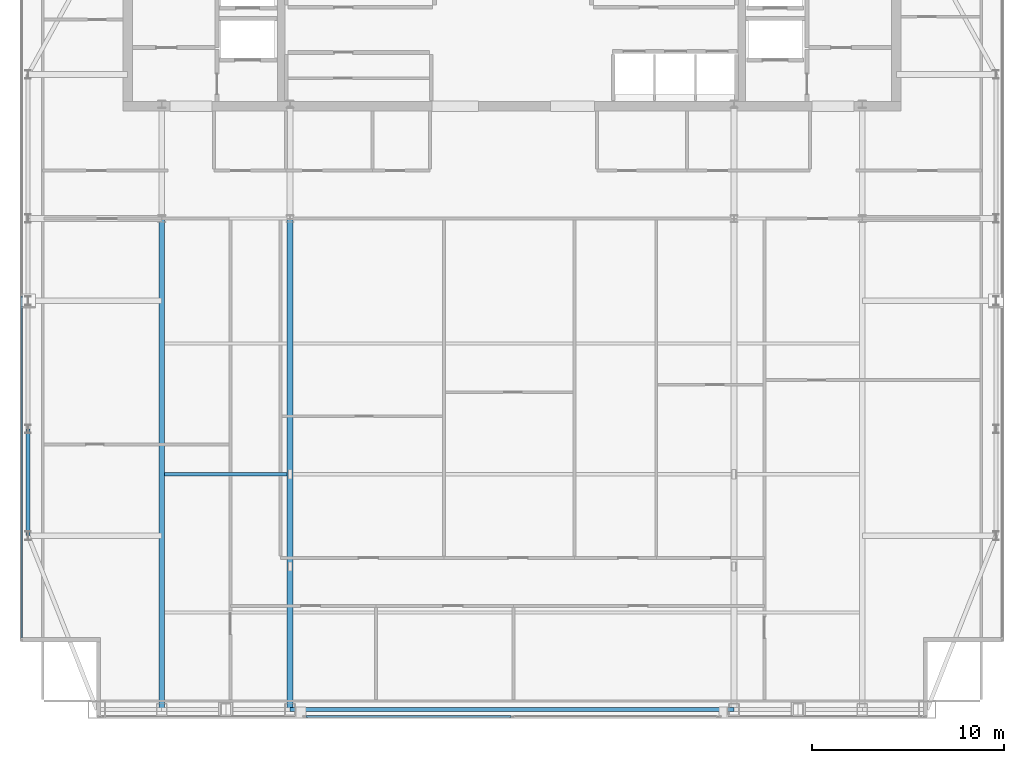
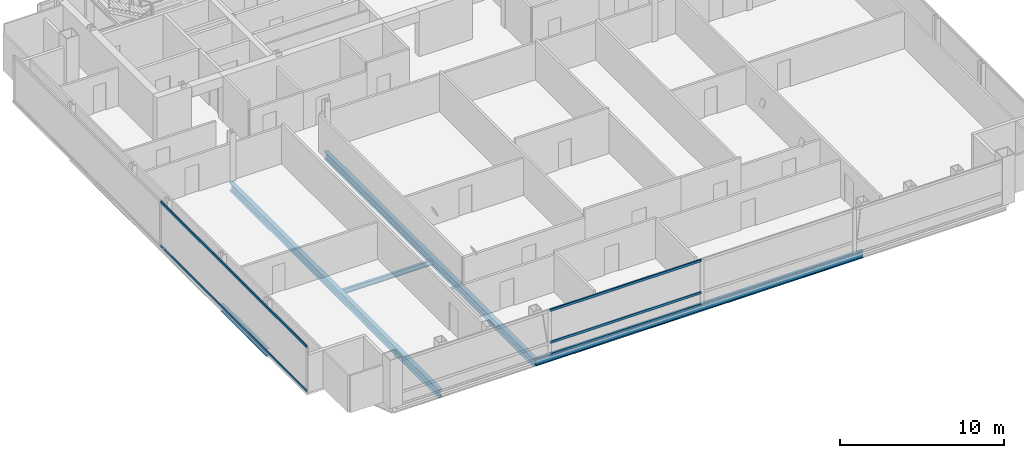
# One storey, part 5 of 24: 5 beams, 5 members, 2 elements without a shape of their own.
"""IFC4 building model written with IfcOpenShell, lengths in metres."""

from ifc_helpers import new_model, si_unit, direction, frame, origin, origin_2d, place, context, subcontext, project, spatial, hollow_rectangle, i_section, extrude, material, material_profile, profile_set, type_object, element, aggregate, save


model = new_model("IFC4")

# Units and contexts
model_context = context("Model", 3, precision=1e-05, world=origin(), true_north=direction((0.0, 1.0)))
body_context = subcontext(model_context, "Body", "Model", "MODEL_VIEW")
ifc_project = project(units=[si_unit("LENGTHUNIT", "METRE"), si_unit("AREAUNIT", "SQUARE_METRE"), si_unit("VOLUMEUNIT", "CUBIC_METRE"), si_unit("PLANEANGLEUNIT", "RADIAN"), si_unit("MASSUNIT", "GRAM", prefix="KILO")], contexts=[model_context])

# Site, building, storey
site_placement = place(None, origin())
site = spatial("IfcSite", under=ifc_project, at=site_placement, CompositionType="ELEMENT")
building_placement = place(site_placement, origin())
building = spatial("IfcBuilding", under=site, at=building_placement, Name="Khoronbel Lancet Exchange", CompositionType="ELEMENT")
storey_placement = place(building_placement, frame((0.0, 0.0, 347.0)))
storey = spatial("IfcBuildingStorey", under=building, at=storey_placement, Name="L90", CompositionType="ELEMENT", Elevation=347.0)

# Beams
ifc_material_1 = material(Name="Steel S355", Category="steel")
ifc_material_profile_1 = material_profile(ifc_material_1, i_section(OverallWidth=0.300048828125, OverallDepth=0.60009765625, WebThickness=0.015380859375, FlangeThickness=0.030029296875, at=origin_2d()), Name="HEB 600")
ifc_profile_set_1 = profile_set([ifc_material_profile_1], Name="Steel S355")
beam_type_1 = type_object("IfcBeamType", Name="BM-BG5", PredefinedType="BEAM", material=ifc_profile_set_1)
for number, where, z_axis, x_axis, name in (
    (1, (18.22509765625, 10.14990234375, -0.4599609375), (0.0, 1.0, 0.0), (-1.0, 0.0, 0.0), "Level L90 south primary girder GS1"),
    (2, (24.89990234375, 10.14990234375, -0.4599609375), (0.0, 1.0, 0.0), (-1.0, 0.0, 0.0), "Level L90 south primary girder GS2"),
):
    element("IfcBeam", number, at=place(storey_placement, frame(where, z_axis=z_axis, x_axis=x_axis)), inside=storey, type_object=beam_type_1, Name=name, PredefinedType="BEAM", context=body_context, shape_type="SweptSolid", body=[
        extrude(i_section(OverallWidth=0.300048828125, OverallDepth=0.60009765625, WebThickness=0.015380859375, FlangeThickness=0.030029296875, at=origin_2d()), origin(), (0.0, 0.0, 1.0), 25.550048828125),
    ])
ifc_material_profile_2 = material_profile(ifc_material_1, i_section(OverallWidth=0.169921875, OverallDepth=0.360107421875, WebThickness=0.008056640625, FlangeThickness=0.0126953125, at=origin_2d()), Name="IPE 360")
ifc_profile_set_2 = profile_set([ifc_material_profile_2], Name="Steel S355")
beam_type_2 = type_object("IfcBeamType", Name="BM-BJ6", PredefinedType="JOIST", material=ifc_profile_set_2)
beam_1_placement = place(storey_placement, frame((18.375, 22.39990234375, -0.340087890625), z_axis=(1.0, 0.0, 0.0), x_axis=(0.0, 1.0, 0.0)))
element("IfcBeam", 3, at=beam_1_placement, inside=storey, type_object=beam_type_2, Name="Level L90 secondary composite joist J04", PredefinedType="JOIST", context=body_context, shape_type="SweptSolid", body=[
    extrude(i_section(OverallWidth=0.169921875, OverallDepth=0.360107421875, WebThickness=0.008056640625, FlangeThickness=0.0126953125, at=origin_2d()), origin(), (0.0, 0.0, 1.0), 6.375),
])
ifc_material_profile_3 = material_profile(ifc_material_1, i_section(OverallWidth=0.2099609375, OverallDepth=0.550048828125, WebThickness=0.010986328125, FlangeThickness=0.01708984375, at=origin_2d()), Name="IPE 550")
ifc_profile_set_3 = profile_set([ifc_material_profile_3], Name="Steel S355")
beam_type_3 = type_object("IfcBeamType", Name="BM-BSP3", PredefinedType="SPANDREL", material=ifc_profile_set_3)
beam_2_placement = place(storey_placement, frame((24.89990234375, 10.14990234375, -0.43505859375), z_axis=(1.0, 0.0, 0.0), x_axis=(0.0, 1.0, 0.0)))
element("IfcBeam", 4, at=beam_2_placement, inside=storey, type_object=beam_type_3, Name="Level L90 perimeter spandrel beam SP04", PredefinedType="SPANDREL", context=body_context, shape_type="SweptSolid", body=[
    extrude(i_section(OverallWidth=0.2099609375, OverallDepth=0.550048828125, WebThickness=0.010986328125, FlangeThickness=0.01708984375, at=origin_2d()), origin(), (0.0, 0.0, 1.0), 23.10009765625),
])
beam_3_placement = place(storey_placement, frame((11.27001953125, 24.75, -0.43505859375), z_axis=(0.0, -1.0, 0.0), x_axis=(1.0, 0.0, 0.0)))
element("IfcBeam", 5, at=beam_3_placement, inside=storey, type_object=beam_type_3, Name="Level L90 perimeter spandrel beam SP18", PredefinedType="SPANDREL", context=body_context, shape_type="SweptSolid", body=[
    extrude(i_section(OverallWidth=0.2099609375, OverallDepth=0.550048828125, WebThickness=0.010986328125, FlangeThickness=0.01708984375, at=origin_2d()), origin(), (0.0, 0.0, 1.0), 5.550048828125),
])

# Curtain wall, members
ifc_material_2 = material(Name="Low-E Solar Control Insulating Glass", Category="glass")
curtain_wall_type_1 = type_object("IfcCurtainWallType", Name="CW-4", PredefinedType="NOTDEFINED", material=ifc_material_2)
curtain_wall_1_placement = place(storey_placement, origin())
curtain_wall_1 = element("IfcCurtainWall", 6, at=curtain_wall_1_placement, inside=storey, type_object=curtain_wall_type_1, Name="Unitised curtain wall CW-L90-E03", PredefinedType="NOTDEFINED")
ifc_material_3 = material(Name="Bronze-Anodised Aluminium 6063-T6", Category="aluminium")
ifc_material_profile_4 = material_profile(ifc_material_3, hollow_rectangle(XDim=0.0849609375, YDim=0.179931640625, WallThickness=0.0048828125, at=origin_2d()), Name="ALU TRANSOM 85x180")
ifc_profile_set_4 = profile_set([ifc_material_profile_4], Name="Bronze-Anodised Aluminium 6063-T6")
member_type = type_object("IfcMemberType", Name="MEM-CWT1", PredefinedType="USERDEFINED", material=ifc_profile_set_4)
member_1_placement = place(storey_placement, frame((10.93994140625, 13.864990234375, 0.04248046875), z_axis=(0.0, 1.0, 0.0), x_axis=(-1.0, 0.0, 0.0)))
member_1 = element("IfcMember", 7, at=member_1_placement, type_object=member_type, Name="CW4 transom 1.1", ObjectType="TRANSOM", PredefinedType="USERDEFINED", context=body_context, shape_type="SweptSolid", body=[
    extrude(hollow_rectangle(XDim=0.0849609375, YDim=0.179931640625, WallThickness=0.0048828125, at=origin_2d()), origin(), (0.0, 0.0, 1.0), 17.797607421875),
])
member_2_placement = place(storey_placement, frame((10.93994140625, 13.864990234375, 3.33740234375), z_axis=(0.0, 1.0, 0.0), x_axis=(-1.0, 0.0, 0.0)))
member_2 = element("IfcMember", 8, at=member_2_placement, type_object=member_type, Name="CW4 transom 1.2", ObjectType="TRANSOM", PredefinedType="USERDEFINED", context=body_context, shape_type="SweptSolid", body=[
    extrude(hollow_rectangle(XDim=0.0849609375, YDim=0.179931640625, WallThickness=0.0048828125, at=origin_2d()), origin(), (0.0, 0.0, 1.0), 17.797607421875),
])
aggregate(curtain_wall_1, [member_1, member_2])

curtain_wall_type_2 = type_object("IfcCurtainWallType", Name="CW-3", PredefinedType="NOTDEFINED", material=ifc_material_2)
curtain_wall_2_placement = place(storey_placement, origin())
curtain_wall_2 = element("IfcCurtainWall", 9, at=curtain_wall_2_placement, inside=storey, type_object=curtain_wall_type_2, Name="Unitised curtain wall CW-L90-E12", PredefinedType="NOTDEFINED")
member_3_placement = place(storey_placement, frame((36.407470703125, 9.7900390625, 0.04248046875), z_axis=(-1.0, 0.0, 0.0), x_axis=(0.0, -1.0, 0.0)))
member_3 = element("IfcMember", 10, at=member_3_placement, type_object=member_type, Name="CW3 transom 3.1", ObjectType="TRANSOM", PredefinedType="USERDEFINED", context=body_context, shape_type="SweptSolid", body=[
    extrude(hollow_rectangle(XDim=0.0849609375, YDim=0.179931640625, WallThickness=0.0048828125, at=origin_2d()), origin(), (0.0, 0.0, 1.0), 10.669921875),
])
member_4_placement = place(storey_placement, frame((36.407470703125, 9.7900390625, 0.949951171875), z_axis=(-1.0, 0.0, 0.0), x_axis=(0.0, -1.0, 0.0)))
member_4 = element("IfcMember", 11, at=member_4_placement, type_object=member_type, Name="CW3 transom 3.2", ObjectType="TRANSOM", PredefinedType="USERDEFINED", context=body_context, shape_type="SweptSolid", body=[
    extrude(hollow_rectangle(XDim=0.0849609375, YDim=0.179931640625, WallThickness=0.0048828125, at=origin_2d()), origin(), (0.0, 0.0, 1.0), 10.669921875),
])
member_5_placement = place(storey_placement, frame((36.407470703125, 9.7900390625, 3.33740234375), z_axis=(-1.0, 0.0, 0.0), x_axis=(0.0, -1.0, 0.0)))
member_5 = element("IfcMember", 12, at=member_5_placement, type_object=member_type, Name="CW3 transom 3.3", ObjectType="TRANSOM", PredefinedType="USERDEFINED", context=body_context, shape_type="SweptSolid", body=[
    extrude(hollow_rectangle(XDim=0.0849609375, YDim=0.179931640625, WallThickness=0.0048828125, at=origin_2d()), origin(), (0.0, 0.0, 1.0), 10.669921875),
])
aggregate(curtain_wall_2, [member_3, member_4, member_5])

save(model, "model.ifc")
